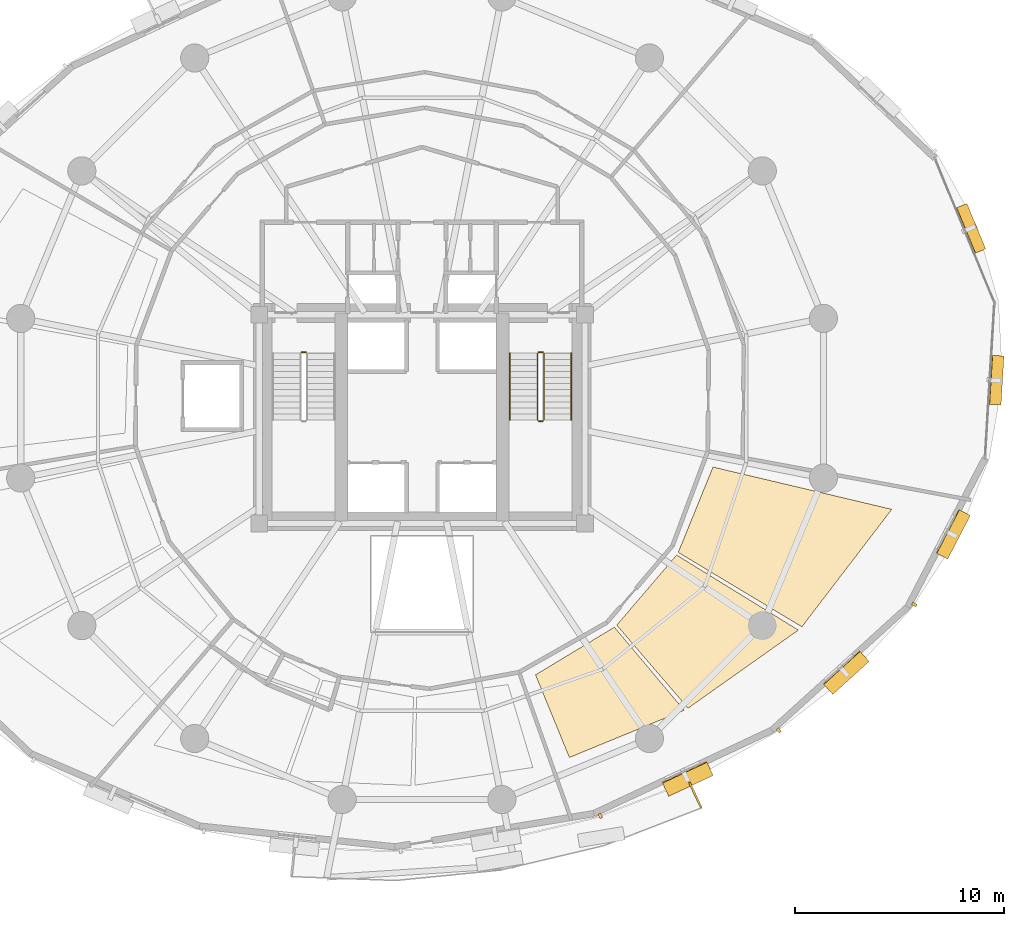
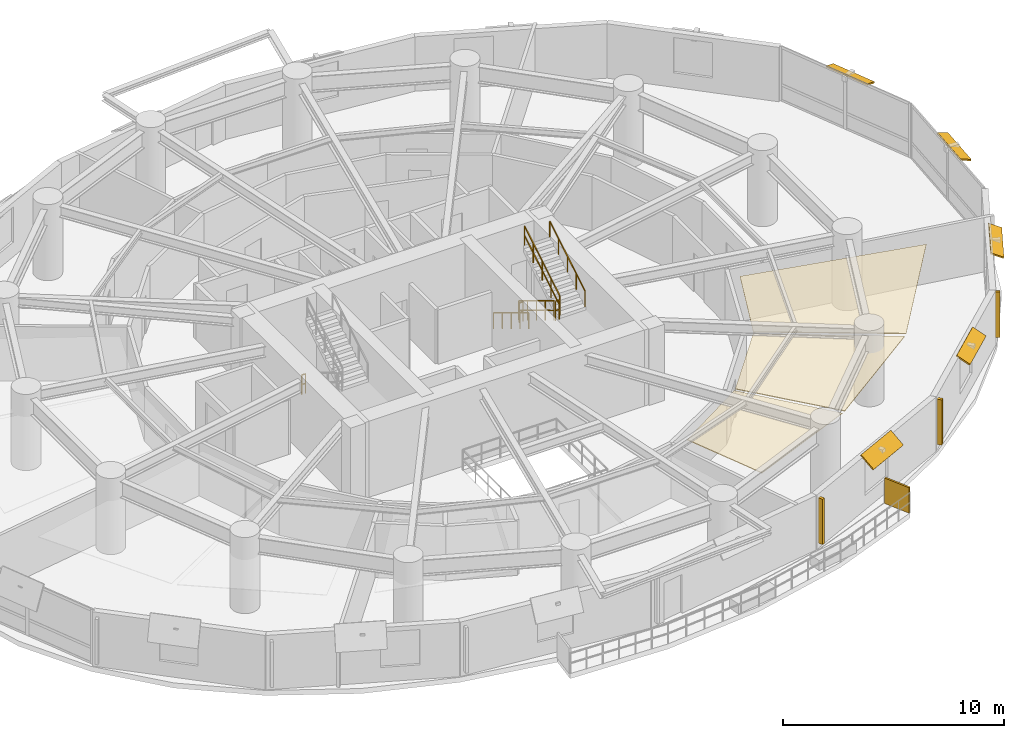
# One storey, part 16 of 17: 9 shading devices, 7 railings, 3 coverings.
"""IFC4 building model written with IfcOpenShell, lengths in metres."""

import ifcopenshell
import ifcopenshell.guid

model = None  # the IFC model being written
_history = None  # IfcOwnerHistory: only IFC2X3 demands one
_inside = {}  # id of a spatial element -> (the spatial element, [elements in it])
_under = {}  # id of a project, library or spatial element -> (it, [spatial elements below it])
_declared = {}  # id of a project -> (the project, [libraries it declares])
_typed = {}  # id of a type object -> (the type object, [elements of that type])
_made_of = {}  # id of a material, layer set ... -> (it, [elements and type objects made of it])


def new_model(schema):
    """Start an empty IFC model of exactly this schema.

    Asked for "IFC4X3", IfcOpenShell would pick the latest addendum, in which some entities
    have other attributes; the version numbers below select the first issue.
    IFC2X3 requires an IfcOwnerHistory on every rooted entity: one is made here for all.
    """
    global model, _history
    if schema == "IFC4X3":
        model = ifcopenshell.file(schema_version=(4, 3, 0, 0))
    else:
        model = ifcopenshell.file(schema=schema)
    _inside.clear()
    _under.clear()
    _declared.clear()
    _typed.clear()
    _made_of.clear()
    _history = None
    if model.schema == "IFC2X3":
        org = make("IfcOrganization", Name="unknown")
        user = make(
            "IfcPersonAndOrganization",
            ThePerson=make("IfcPerson", FamilyName="unknown"),
            TheOrganization=org,
        )
        app = make(
            "IfcApplication",
            ApplicationDeveloper=org,
            Version="unknown",
            ApplicationFullName="unknown",
            ApplicationIdentifier="unknown",
        )
        _history = make(
            "IfcOwnerHistory",
            OwningUser=user,
            OwningApplication=app,
            ChangeAction="ADDED",
            CreationDate=0,
        )
    return model


def make(cls, **values):
    """One entity of the class cls with the attributes given. An attribute that is None is left unset."""
    return model.create_entity(
        cls, **{name: value for name, value in values.items() if value is not None}
    )


def rooted(cls, **values):
    """An entity with a GlobalId (a new one), such as an element, a storey or a relation."""
    return make(cls, GlobalId=ifcopenshell.guid.new(), OwnerHistory=_history, **values)


def si_unit(unit_type, name, prefix=None):
    """IfcSIUnit, for example si_unit("LENGTHUNIT", "METRE", prefix="MILLI")."""
    return make("IfcSIUnit", UnitType=unit_type, Prefix=prefix, Name=name)


def assignment(units):
    """IfcUnitAssignment: the units of a project."""
    return None if units is None else make("IfcUnitAssignment", Units=units)


def point(xyz):
    """IfcCartesianPoint."""
    return None if xyz is None else make("IfcCartesianPoint", Coordinates=xyz)


def direction(xyz):
    """IfcDirection."""
    return None if xyz is None else make("IfcDirection", DirectionRatios=xyz)


def frame(location, z_axis=None, x_axis=None):
    """IfcAxis2Placement3D, a coordinate frame: its origin and axes. An axis left out is left unset."""
    return make(
        "IfcAxis2Placement3D",
        Location=point(location),
        Axis=direction(z_axis),
        RefDirection=direction(x_axis),
    )


def frame_2d(location, x_axis=None):
    """IfcAxis2Placement2D, a coordinate frame in the plane: its origin and x axis."""
    return make(
        "IfcAxis2Placement2D", Location=point(location), RefDirection=direction(x_axis)
    )


def origin():
    """The frame at (0, 0, 0) with its axes left unset."""
    return frame((0.0, 0.0, 0.0))


def origin_2d():
    """The frame at (0, 0) in the plane with its x axis left unset."""
    return frame_2d((0.0, 0.0))


def place(relative_to, where):
    """IfcLocalPlacement: puts the frame where relative to a parent placement (None: the world)."""
    return make(
        "IfcLocalPlacement", PlacementRelTo=relative_to, RelativePlacement=where
    )


def context(
    kind, dimensions, precision=None, world=None, true_north=None, identifier=None
):
    """IfcGeometricRepresentationContext, for example the 3D "Model" context."""
    return make(
        "IfcGeometricRepresentationContext",
        ContextIdentifier=identifier,
        ContextType=kind,
        CoordinateSpaceDimension=dimensions,
        Precision=precision,
        WorldCoordinateSystem=world,
        TrueNorth=true_north,
    )


def subcontext(parent, identifier, kind, view, scale=None):
    """IfcGeometricRepresentationSubContext, for example "Body" below "Model"."""
    return make(
        "IfcGeometricRepresentationSubContext",
        ContextIdentifier=identifier,
        ContextType=kind,
        ParentContext=parent,
        TargetScale=scale,
        TargetView=view,
    )


def project(units=None, contexts=None):
    """IfcProject with its units and contexts."""
    return rooted(
        "IfcProject",
        Name="project",
        RepresentationContexts=contexts,
        UnitsInContext=assignment(units),
    )


def spatial(cls, under=None, at=None, **own):
    """A site, building, storey or space (cls), placed at a placement, below another one or the project."""
    s = rooted(cls, ObjectPlacement=at, **own)
    if under is not None:
        _under.setdefault(under.id(), (under, []))[1].append(s)
    return s


def polyline(points):
    """IfcPolyline through the points."""
    return make("IfcPolyline", Points=[point(p) for p in points])


def profile(cls, at=None, kind="AREA", **sizes):
    """A parametric profile (cls). Its sizes go by their IFC names, for example OverallWidth=200.0."""
    return make(cls, ProfileType=kind, Position=at, **sizes)


def rectangle(**sizes):
    """IfcRectangleProfileDef."""
    return profile("IfcRectangleProfileDef", **sizes)


def outline(outer, holes=None, kind="AREA"):
    """IfcArbitraryClosedProfileDef: a profile drawn as a closed curve; with holes, ...WithVoids."""
    if holes is None:
        return make("IfcArbitraryClosedProfileDef", ProfileType=kind, OuterCurve=outer)
    return make(
        "IfcArbitraryProfileDefWithVoids",
        ProfileType=kind,
        OuterCurve=outer,
        InnerCurves=holes,
    )


def extrude(swept, where, along, depth):
    """IfcExtrudedAreaSolid: the profile swept, set in the frame where, extruded along a direction by depth."""
    return make(
        "IfcExtrudedAreaSolid",
        SweptArea=swept,
        Position=where,
        ExtrudedDirection=direction(along),
        Depth=depth,
    )


def shape(context_of_items, identifier, shape_type, items):
    """IfcShapeRepresentation: the items that make up one representation, for example the "Body"."""
    return make(
        "IfcShapeRepresentation",
        ContextOfItems=context_of_items,
        RepresentationIdentifier=identifier,
        RepresentationType=shape_type,
        Items=items,
    )


def material(Name=None, Category=None):
    """IfcMaterial."""
    return make("IfcMaterial", Name=Name, Category=Category)


def layer(
    of_material, thickness, ventilated=None, Name=None, Category=None, Priority=None
):
    """IfcMaterialLayer: one layer of a wall or slab, of a material (None: an air gap)."""
    return make(
        "IfcMaterialLayer",
        Material=of_material,
        LayerThickness=thickness,
        IsVentilated=ventilated,
        Name=Name,
        Category=Category,
        Priority=Priority,
    )


def layer_set(layers, Name=None):
    """IfcMaterialLayerSet."""
    return make("IfcMaterialLayerSet", MaterialLayers=layers, LayerSetName=Name)


def made_of(thing, what):
    """Note that an element or type object is made of a material, layer set ...; save() writes the relation."""
    if what is not None:
        _made_of.setdefault(what.id(), (what, []))[1].append(thing)
    return thing


def type_object(cls, material=None, **own):
    """A type object (cls), such as IfcWallType, which elements share."""
    return made_of(rooted(cls, **own), material)


def element(
    cls,
    number,
    at=None,
    inside=None,
    cuts=None,
    type_object=None,
    material=None,
    context=None,
    identifier="Body",
    shape_type=None,
    held_by="IfcProductDefinitionShape",
    body=None,
    shapes=None,
    **own,
):
    """One element of the class cls, such as IfcWall. Its Tag is "e" and its number.

    at: its placement. inside: the storey or other place that contains it. cuts: it is an
    opening in that element (IfcRelVoidsElement). A single representation is given by context,
    identifier, shape_type and body (its items); several are given by shapes. held_by: the class
    of the entity that holds the representations. save() writes the other relations.
    """
    e = rooted(cls, Tag="e%d" % number, ObjectPlacement=at, **own)
    if body is not None:
        shapes = [shape(context, identifier, shape_type, body)]
    if shapes is not None:
        e.Representation = make(held_by, Representations=shapes)
    if inside is not None:
        _inside.setdefault(inside.id(), (inside, []))[1].append(e)
    if cuts is not None:
        rooted(
            "IfcRelVoidsElement", RelatingBuildingElement=cuts, RelatedOpeningElement=e
        )
    if type_object is not None:
        _typed.setdefault(type_object.id(), (type_object, []))[1].append(e)
    return made_of(e, material)


def aggregate(whole, parts):
    """IfcRelAggregates: a whole, such as a stair, and the parts it consists of."""
    return rooted("IfcRelAggregates", RelatingObject=whole, RelatedObjects=parts)


def save(model, path):
    """Write the relations noted so far, then the file.

    IfcRelAggregates (storeys below a building ...), IfcRelContainedInSpatialStructure (elements
    in a storey), IfcRelDefinesByType, IfcRelAssociatesMaterial and IfcRelDeclares: one each for
    every whole, place, type object, material and project.
    """
    for whole, parts in _under.values():
        aggregate(whole, parts)
    for where, things in _inside.values():
        rooted(
            "IfcRelContainedInSpatialStructure",
            RelatedElements=things,
            RelatingStructure=where,
        )
    for kind, things in _typed.values():
        rooted("IfcRelDefinesByType", RelatedObjects=things, RelatingType=kind)
    for what, things in _made_of.values():
        rooted("IfcRelAssociatesMaterial", RelatedObjects=things, RelatingMaterial=what)
    for by, libraries in _declared.values():
        rooted("IfcRelDeclares", RelatingContext=by, RelatedDefinitions=libraries)
    model.write(path)


model = new_model("IFC4")

# Units and contexts
model_context = context("Model", 3, precision=1e-05, world=origin(), true_north=direction((0.0, 1.0)))
body_context = subcontext(model_context, "Body", "Model", "MODEL_VIEW")
ifc_project = project(units=[si_unit("LENGTHUNIT", "METRE"), si_unit("AREAUNIT", "SQUARE_METRE"), si_unit("VOLUMEUNIT", "CUBIC_METRE"), si_unit("PLANEANGLEUNIT", "RADIAN"), si_unit("MASSUNIT", "GRAM", prefix="KILO"), si_unit("THERMODYNAMICTEMPERATUREUNIT", "KELVIN"), si_unit("POWERUNIT", "WATT")], contexts=[model_context])

# Site, building, storey
site_placement = place(None, origin())
site = spatial("IfcSite", under=ifc_project, at=site_placement, CompositionType="ELEMENT")
building_placement = place(site_placement, origin())
building = spatial("IfcBuilding", under=site, at=building_placement, Name="Ocrelia Relay Tower", CompositionType="ELEMENT")
storey_placement = place(building_placement, frame((0.0, 0.0, 72.0)))
storey = spatial("IfcBuildingStorey", under=building, at=storey_placement, Name="L16", CompositionType="ELEMENT", Elevation=72.0)

# Coverings
ifc_material_1 = material(Name="Cleanroom metal-pan acoustic ceiling", Category="aluminium")
ifc_layer_1 = layer(ifc_material_1, 0.0400390625, Name="Cleanroom metal-pan acoustic ceiling")
ifc_layer_set_1 = layer_set([ifc_layer_1], Name="Cleanroom metal-pan acoustic ceiling")
covering_type = type_object("IfcCoveringType", Name="COV-CEIL-CLEAN", PredefinedType="CEILING", material=ifc_layer_set_1)
covering_1_placement = place(storey_placement, frame((0.0, 0.0, 2.919921875)))
element("IfcCovering", 1, at=covering_1_placement, inside=storey, type_object=covering_type, Name="L16 Colocation Data Hall A Suspended Ceiling 1", PredefinedType="CEILING", context=body_context, shape_type="SweptSolid", body=[
    extrude(outline(polyline([(39.433837890625, 12.7509765625), (41.05712890625, 8.79296875), (46.554931640625, 11.05517578125), (43.211181640625, 15.03564453125), (39.433837890625, 12.7509765625)])), origin(), (0.0, 0.0, 1.0), 0.0400390625),
])
covering_2_placement = place(storey_placement, frame((0.0, 0.0, 2.919921875)))
element("IfcCovering", 2, at=covering_2_placement, inside=storey, type_object=covering_type, Name="L16 Colocation Data Hall A Suspended Ceiling 2", PredefinedType="CEILING", context=body_context, shape_type="SweptSolid", body=[
    extrude(outline(polyline([(43.325439453125, 15.1328125), (46.7392578125, 11.154296875), (52.02587890625, 14.89599609375), (46.1923828125, 18.489501953125), (43.325439453125, 15.1328125)])), origin(), (0.0, 0.0, 1.0), 0.0400390625),
])
covering_3_placement = place(storey_placement, frame((0.0, 0.0, 2.919921875)))
element("IfcCovering", 3, at=covering_3_placement, inside=storey, type_object=covering_type, Name="L16 Colocation Data Hall A Suspended Ceiling 3", PredefinedType="CEILING", context=body_context, shape_type="SweptSolid", body=[
    extrude(outline(polyline([(46.270263671875, 18.617431640625), (52.1953125, 15.052734375), (56.498779296875, 20.681396484375), (47.935791015625, 22.705810546875), (46.270263671875, 18.617431640625)])), origin(), (0.0, 0.0, 1.0), 0.0400390625),
])

# Railings
ifc_material_2 = material(Name="Steel S355 balustrade", Category="steel")
railing_type_1 = type_object("IfcRailingType", Name="RL-STAIR-GUARD", PredefinedType="GUARDRAIL", material=ifc_material_2)
railing_1_placement = place(storey_placement, frame((28.22998046875, 28.199951171875, 0.0)))
element("IfcRailing", 4, at=railing_1_placement, inside=storey, type_object=railing_type_1, Name="L16 ST1 stair guard 4", PredefinedType="GUARDRAIL", context=body_context, shape_type="SweptSolid", body=[
    extrude(rectangle(XDim=0.048095703125, YDim=0.048095703125, at=origin_2d()), frame((0.0, 0.0, 1.076171875), z_axis=(1.0, 0.0, 0.0), x_axis=(0.0, 1.0, 0.0)), (0.0, 0.0, 1.0), 0.199951171875),
    extrude(rectangle(XDim=0.048095703125, YDim=0.048095703125, at=origin_2d()), frame((0.0, 0.0, 0.550048828125), z_axis=(1.0, 0.0, 0.0), x_axis=(0.0, 1.0, 0.0)), (0.0, 0.0, 1.0), 0.199951171875),
    extrude(rectangle(XDim=0.0419921875, YDim=0.0419921875, at=origin_2d()), origin(), (0.0, 0.0, 1.0), 1.052001953125),
    extrude(rectangle(XDim=0.0419921875, YDim=0.0419921875, at=origin_2d()), frame((0.199951171875, 0.0, 0.0)), (0.0, 0.0, 1.0), 1.052001953125),
])
railing_2_placement = place(storey_placement, frame((39.530029296875, 28.14990234375, 0.175048828125)))
element("IfcRailing", 5, at=railing_2_placement, inside=storey, type_object=railing_type_1, Name="L16 ST2 stair guard 1", PredefinedType="GUARDRAIL", context=body_context, shape_type="SweptSolid", body=[
    extrude(rectangle(XDim=0.048095703125, YDim=0.048095703125, at=origin_2d()), frame((0.0, 0.0, 1.076171875), z_axis=(0.0, -0.856177665481, 0.516681531633), x_axis=(1.0, 0.0, 0.0)), (0.0, 0.0, 1.0), 3.725830078125),
    extrude(rectangle(XDim=0.048095703125, YDim=0.048095703125, at=origin_2d()), frame((0.0, 0.0, 0.550048828125), z_axis=(0.0, -0.856177665481, 0.516681531633), x_axis=(1.0, 0.0, 0.0)), (0.0, 0.0, 1.0), 3.725830078125),
    extrude(rectangle(XDim=0.0419921875, YDim=0.0419921875, at=origin_2d()), origin(), (0.0, 0.0, 1.0), 1.052001953125),
    extrude(rectangle(XDim=0.0419921875, YDim=0.0419921875, at=origin_2d()), frame((0.0, -0.79736328125, 0.481201171875)), (0.0, 0.0, 1.0), 1.052001953125),
    extrude(rectangle(XDim=0.0419921875, YDim=0.0419921875, at=origin_2d()), frame((0.0, -1.594970703125, 0.96240234375)), (0.0, 0.0, 1.0), 1.052001953125),
    extrude(rectangle(XDim=0.0419921875, YDim=0.0419921875, at=origin_2d()), frame((0.0, -2.392578125, 1.44384765625)), (0.0, 0.0, 1.0), 1.052001953125),
    extrude(rectangle(XDim=0.0419921875, YDim=0.0419921875, at=origin_2d()), frame((0.0, -3.18994140625, 1.925048828125)), (0.0, 0.0, 1.0), 1.052001953125),
])
railing_3_placement = place(storey_placement, frame((39.580078125, 24.909912109375, 2.10009765625)))
element("IfcRailing", 6, at=railing_3_placement, inside=storey, type_object=railing_type_1, Name="L16 ST2 stair guard 2", PredefinedType="GUARDRAIL", context=body_context, shape_type="SweptSolid", body=[
    extrude(rectangle(XDim=0.048095703125, YDim=0.048095703125, at=origin_2d()), frame((0.0, 0.0, 1.076171875), z_axis=(1.0, 0.0, 0.0), x_axis=(0.0, 1.0, 0.0)), (0.0, 0.0, 1.0), 0.199951171875),
    extrude(rectangle(XDim=0.048095703125, YDim=0.048095703125, at=origin_2d()), frame((0.0, 0.0, 0.550048828125), z_axis=(1.0, 0.0, 0.0), x_axis=(0.0, 1.0, 0.0)), (0.0, 0.0, 1.0), 0.199951171875),
    extrude(rectangle(XDim=0.0419921875, YDim=0.0419921875, at=origin_2d()), origin(), (0.0, 0.0, 1.0), 1.052001953125),
    extrude(rectangle(XDim=0.0419921875, YDim=0.0419921875, at=origin_2d()), frame((0.199951171875, 0.0, 0.0)), (0.0, 0.0, 1.0), 1.052001953125),
])
railing_4_placement = place(storey_placement, frame((39.830078125, 24.9599609375, 2.27490234375)))
element("IfcRailing", 7, at=railing_4_placement, inside=storey, type_object=railing_type_1, Name="L16 ST2 stair guard 3", PredefinedType="GUARDRAIL", context=body_context, shape_type="SweptSolid", body=[
    extrude(rectangle(XDim=0.048095703125, YDim=0.048095703125, at=origin_2d()), frame((0.0, 0.0, 1.076171875), z_axis=(0.0, 0.856177665481, 0.516681531633), x_axis=(-1.0, 0.0, 0.0)), (0.0, 0.0, 1.0), 3.725830078125),
    extrude(rectangle(XDim=0.048095703125, YDim=0.048095703125, at=origin_2d()), frame((0.0, 0.0, 0.550048828125), z_axis=(0.0, 0.856177665481, 0.516681531633), x_axis=(-1.0, 0.0, 0.0)), (0.0, 0.0, 1.0), 3.725830078125),
    extrude(rectangle(XDim=0.0419921875, YDim=0.0419921875, at=origin_2d()), origin(), (0.0, 0.0, 1.0), 1.052001953125),
    extrude(rectangle(XDim=0.0419921875, YDim=0.0419921875, at=origin_2d()), frame((0.0, 0.79736328125, 0.481201171875)), (0.0, 0.0, 1.0), 1.052001953125),
    extrude(rectangle(XDim=0.0419921875, YDim=0.0419921875, at=origin_2d()), frame((0.0, 1.594970703125, 0.96240234375)), (0.0, 0.0, 1.0), 1.052001953125),
    extrude(rectangle(XDim=0.0419921875, YDim=0.0419921875, at=origin_2d()), frame((0.0, 2.392578125, 1.44384765625)), (0.0, 0.0, 1.0), 1.052001953125),
    extrude(rectangle(XDim=0.0419921875, YDim=0.0419921875, at=origin_2d()), frame((0.0, 3.18994140625, 1.925048828125)), (0.0, 0.0, 1.0), 1.052001953125),
])
railing_5_placement = place(storey_placement, frame((39.580078125, 28.199951171875, 0.0)))
element("IfcRailing", 8, at=railing_5_placement, inside=storey, type_object=railing_type_1, Name="L16 ST2 stair guard 4", PredefinedType="GUARDRAIL", context=body_context, shape_type="SweptSolid", body=[
    extrude(rectangle(XDim=0.048095703125, YDim=0.048095703125, at=origin_2d()), frame((0.0, 0.0, 1.076171875), z_axis=(1.0, 0.0, 0.0), x_axis=(0.0, 1.0, 0.0)), (0.0, 0.0, 1.0), 0.199951171875),
    extrude(rectangle(XDim=0.048095703125, YDim=0.048095703125, at=origin_2d()), frame((0.0, 0.0, 0.550048828125), z_axis=(1.0, 0.0, 0.0), x_axis=(0.0, 1.0, 0.0)), (0.0, 0.0, 1.0), 0.199951171875),
    extrude(rectangle(XDim=0.0419921875, YDim=0.0419921875, at=origin_2d()), origin(), (0.0, 0.0, 1.0), 1.052001953125),
    extrude(rectangle(XDim=0.0419921875, YDim=0.0419921875, at=origin_2d()), frame((0.199951171875, 0.0, 0.0)), (0.0, 0.0, 1.0), 1.052001953125),
])
ifc_material_3 = material(Name="Steel S355 tubular handrail", Category="steel")
railing_type_2 = type_object("IfcRailingType", Name="RL-STAIR-HAND", PredefinedType="HANDRAIL", material=ifc_material_3)
railing_6_placement = place(storey_placement, frame((38.2099609375, 28.14990234375, 0.175048828125)))
element("IfcRailing", 9, at=railing_6_placement, inside=storey, type_object=railing_type_2, Name="L16 ST2 stair handrail 1", PredefinedType="HANDRAIL", context=body_context, shape_type="SweptSolid", body=[
    extrude(rectangle(XDim=0.048095703125, YDim=0.048095703125, at=origin_2d()), frame((0.0, 0.0, 0.8759765625), z_axis=(0.0, -0.856177665481, 0.516681531633), x_axis=(1.0, 0.0, 0.0)), (0.0, 0.0, 1.0), 3.725830078125),
    extrude(rectangle(XDim=0.0419921875, YDim=0.0419921875, at=origin_2d()), origin(), (0.0, 0.0, 1.0), 0.851806640625),
    extrude(rectangle(XDim=0.0419921875, YDim=0.0419921875, at=origin_2d()), frame((0.0, -0.79736328125, 0.481201171875)), (0.0, 0.0, 1.0), 0.851806640625),
    extrude(rectangle(XDim=0.0419921875, YDim=0.0419921875, at=origin_2d()), frame((0.0, -1.594970703125, 0.96240234375)), (0.0, 0.0, 1.0), 0.851806640625),
    extrude(rectangle(XDim=0.0419921875, YDim=0.0419921875, at=origin_2d()), frame((0.0, -2.392578125, 1.44384765625)), (0.0, 0.0, 1.0), 0.851806640625),
    extrude(rectangle(XDim=0.0419921875, YDim=0.0419921875, at=origin_2d()), frame((0.0, -3.18994140625, 1.925048828125)), (0.0, 0.0, 1.0), 0.851806640625),
])
railing_7_placement = place(storey_placement, frame((41.14990234375, 24.9599609375, 2.27490234375)))
element("IfcRailing", 10, at=railing_7_placement, inside=storey, type_object=railing_type_2, Name="L16 ST2 stair handrail 2", PredefinedType="HANDRAIL", context=body_context, shape_type="SweptSolid", body=[
    extrude(rectangle(XDim=0.048095703125, YDim=0.048095703125, at=origin_2d()), frame((0.0, 0.0, 0.8759765625), z_axis=(0.0, 0.856177665481, 0.516681531633), x_axis=(-1.0, 0.0, 0.0)), (0.0, 0.0, 1.0), 3.725830078125),
    extrude(rectangle(XDim=0.0419921875, YDim=0.0419921875, at=origin_2d()), origin(), (0.0, 0.0, 1.0), 0.851806640625),
    extrude(rectangle(XDim=0.0419921875, YDim=0.0419921875, at=origin_2d()), frame((0.0, 0.79736328125, 0.481201171875)), (0.0, 0.0, 1.0), 0.851806640625),
    extrude(rectangle(XDim=0.0419921875, YDim=0.0419921875, at=origin_2d()), frame((0.0, 1.594970703125, 0.96240234375)), (0.0, 0.0, 1.0), 0.851806640625),
    extrude(rectangle(XDim=0.0419921875, YDim=0.0419921875, at=origin_2d()), frame((0.0, 2.392578125, 1.44384765625)), (0.0, 0.0, 1.0), 0.851806640625),
    extrude(rectangle(XDim=0.0419921875, YDim=0.0419921875, at=origin_2d()), frame((0.0, 3.18994140625, 1.925048828125)), (0.0, 0.0, 1.0), 0.851806640625),
])

# Shading devices
ifc_material_4 = material(Name="Perforated oxide terracotta solar screen", Category="masonry")
ifc_layer_2 = layer(ifc_material_4, 0.090087890625, Name="Perforated oxide terracotta solar screen")
ifc_layer_set_2 = layer_set([ifc_layer_2], Name="Perforated oxide terracotta solar screen")
shading_device_type_1 = type_object("IfcShadingDeviceType", Name="SH-BALC-SCREEN", PredefinedType="USERDEFINED", material=ifc_layer_set_2)
shading_device_1_placement = place(storey_placement, frame((47.088623046875, 6.99658203125, 0.0), z_axis=(0.0, 0.0, 1.0), x_axis=(0.425205953907, -0.905096622887, 0.0)))
element("IfcShadingDevice", 11, at=shading_device_1_placement, inside=storey, type_object=shading_device_type_1, Name="L16 Balcony Perforated Terracotta Screen B2-2", ObjectType="SCREEN", PredefinedType="USERDEFINED", context=body_context, shape_type="SweptSolid", body=[
    extrude(rectangle(XDim=1.340087890625, YDim=0.090087890625, at=origin_2d()), origin(), (0.0, 0.0, 1.0), 1.39990234375),
])
ifc_material_5 = material(Name="Extruded oxide terracotta vertical baguette", Category="masonry")
shading_device_type_2 = type_object("IfcShadingDeviceType", Name="SH-TERR-BAGUETTE", PredefinedType="USERDEFINED", material=ifc_material_5)
for number, where, z_axis, x_axis, name in (
    (12, (42.5380859375, 6.00146484375, 0.25), (0.0, 0.0, 1.0), (0.905700287492, 0.423918611571, 0.0), "L16 Oxide Terracotta Vertical Baguette 15"),
    (13, (51.086181640625, 10.091796875, 0.25), (0.0, 0.0, 1.0), (0.740364486531, 0.672205643448, 0.0), "L16 Oxide Terracotta Vertical Baguette 16"),
    (14, (57.57861328125, 16.117919921875, 0.25), (0.0, 0.0, 1.0), (0.461744819502, 0.88701280806, 0.0), "L16 Oxide Terracotta Vertical Baguette 17"),
):
    element("IfcShadingDevice", number, at=place(storey_placement, frame(where, z_axis=z_axis, x_axis=x_axis)), inside=storey, type_object=shading_device_type_2, Name=name, ObjectType="BAGUETTE", PredefinedType="USERDEFINED", context=body_context, shape_type="SweptSolid", body=[
        extrude(rectangle(XDim=0.139892578125, YDim=0.239990234375, at=origin_2d()), origin(), (0.0, 0.0, 1.0), 2.5),
    ])
ifc_material_6 = material(Name="Extruded oxide terracotta fin", Category="masonry")
ifc_layer_3 = layer(ifc_material_6, 0.080078125, Name="Extruded oxide terracotta fin")
ifc_layer_set_3 = layer_set([ifc_layer_3], Name="Extruded oxide terracotta fin")
shading_device_type_3 = type_object("IfcShadingDeviceType", Name="SH-VISOR-FIN-MED", PredefinedType="USERDEFINED", material=ifc_layer_set_3)
shading_device_2_placement = place(storey_placement, frame((46.710693359375, 7.793212890625, 2.80859375), z_axis=(0.260231745766, -0.555984003819, 0.789405615633), x_axis=(0.905700287492, 0.423918611571, 0.0)))
element("IfcShadingDevice", 15, at=shading_device_2_placement, inside=storey, type_object=shading_device_type_3, Name="L16 Canted Terracotta Sun-Visor Fin 15", ObjectType="FIN", PredefinedType="USERDEFINED", context=body_context, shape_type="SweptSolid", body=[
    extrude(rectangle(XDim=2.35009765625, YDim=0.881103515625, at=origin_2d()), origin(), (0.0, 0.0, 1.0), 0.080078125),
])
ifc_layer_4 = layer(ifc_material_6, 0.080078125, Name="Extruded oxide terracotta fin")
ifc_layer_set_4 = layer_set([ifc_layer_4], Name="Extruded oxide terracotta fin")
shading_device_type_4 = type_object("IfcShadingDeviceType", Name="SH-VISOR-FIN-SHAL", PredefinedType="USERDEFINED", material=ifc_layer_set_4)
shading_device_3_placement = place(storey_placement, frame((60.2802734375, 34.130859375, 2.802001953125), z_axis=(0.288949705785, 0.119450446521, 0.949862968197), x_axis=(-0.382037876302, 0.924146666429, 0.0)))
element("IfcShadingDevice", 16, at=shading_device_3_placement, inside=storey, type_object=shading_device_type_4, Name="L16 Canted Terracotta Sun-Visor Fin 01", ObjectType="FIN", PredefinedType="USERDEFINED", context=body_context, shape_type="SweptSolid", body=[
    extrude(rectangle(XDim=2.35009765625, YDim=0.553955078125, at=origin_2d()), origin(), (0.0, 0.0, 1.0), 0.080078125),
])
shading_device_4_placement = place(storey_placement, frame((54.30322265625, 12.87158203125, 2.80517578125), z_axis=(0.328453956043, -0.361757814569, 0.872496007073), x_axis=(0.740364486531, 0.672205643448, 0.0)))
element("IfcShadingDevice", 17, at=shading_device_4_placement, inside=storey, type_object=shading_device_type_4, Name="L16 Canted Terracotta Sun-Visor Fin 16", ObjectType="FIN", PredefinedType="USERDEFINED", context=body_context, shape_type="SweptSolid", body=[
    extrude(rectangle(XDim=2.35009765625, YDim=0.737060546875, at=origin_2d()), origin(), (0.0, 0.0, 1.0), 0.080078125),
])
shading_device_5_placement = place(storey_placement, frame((59.430419921875, 19.491943359375, 2.803466796875), z_axis=(0.352843500961, -0.183676782548, 0.917477140523), x_axis=(0.461744819502, 0.88701280806, 0.0)))
element("IfcShadingDevice", 18, at=shading_device_5_placement, inside=storey, type_object=shading_device_type_4, Name="L16 Canted Terracotta Sun-Visor Fin 17", ObjectType="FIN", PredefinedType="USERDEFINED", context=body_context, shape_type="SweptSolid", body=[
    extrude(rectangle(XDim=2.35009765625, YDim=0.64111328125, at=origin_2d()), origin(), (0.0, 0.0, 1.0), 0.080078125),
])
shading_device_6_placement = place(storey_placement, frame((61.502197265625, 26.868408203125, 2.802490234375), z_axis=(0.340414413606, -0.020579611084, 0.940050268133), x_axis=(0.060344410517, 0.998177615517, 0.0)))
element("IfcShadingDevice", 19, at=shading_device_6_placement, inside=storey, type_object=shading_device_type_4, Name="L16 Canted Terracotta Sun-Visor Fin 18", ObjectType="FIN", PredefinedType="USERDEFINED", context=body_context, shape_type="SweptSolid", body=[
    extrude(rectangle(XDim=2.35009765625, YDim=0.58203125, at=origin_2d()), origin(), (0.0, 0.0, 1.0), 0.080078125),
])

save(model, "model.ifc")
